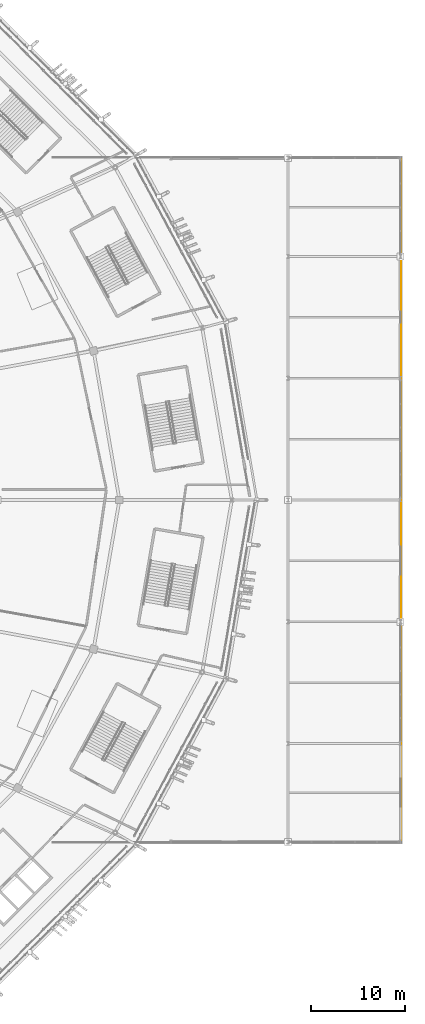
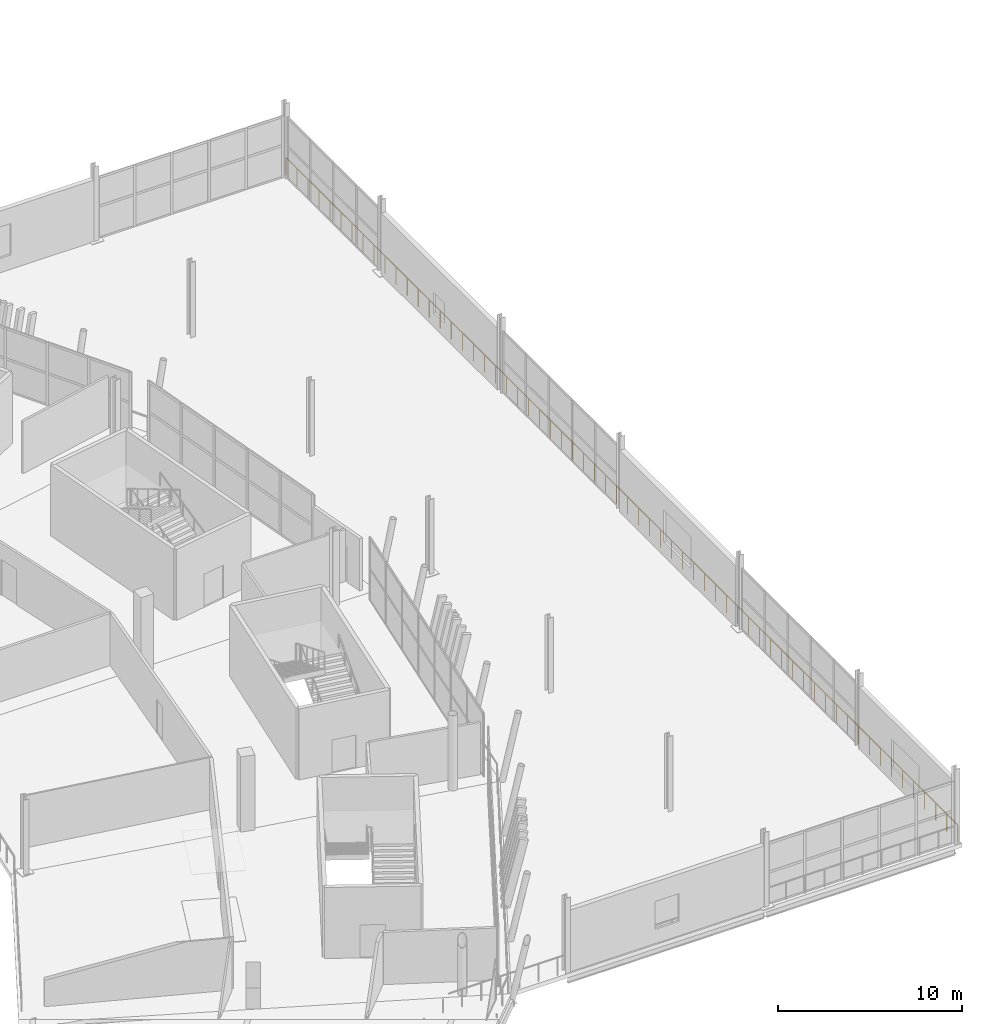
# One storey, part 169 of 179: 1 railing.
"""IFC4 building model written with IfcOpenShell, lengths in metres."""

import ifcopenshell
import ifcopenshell.guid

model = None  # the IFC model being written
_history = None  # IfcOwnerHistory: only IFC2X3 demands one
_inside = {}  # id of a spatial element -> (the spatial element, [elements in it])
_under = {}  # id of a project, library or spatial element -> (it, [spatial elements below it])
_declared = {}  # id of a project -> (the project, [libraries it declares])
_typed = {}  # id of a type object -> (the type object, [elements of that type])
_made_of = {}  # id of a material, layer set ... -> (it, [elements and type objects made of it])


def new_model(schema):
    """Start an empty IFC model of exactly this schema.

    Asked for "IFC4X3", IfcOpenShell would pick the latest addendum, in which some entities
    have other attributes; the version numbers below select the first issue.
    IFC2X3 requires an IfcOwnerHistory on every rooted entity: one is made here for all.
    """
    global model, _history
    if schema == "IFC4X3":
        model = ifcopenshell.file(schema_version=(4, 3, 0, 0))
    else:
        model = ifcopenshell.file(schema=schema)
    _inside.clear()
    _under.clear()
    _declared.clear()
    _typed.clear()
    _made_of.clear()
    _history = None
    if model.schema == "IFC2X3":
        org = make("IfcOrganization", Name="unknown")
        user = make(
            "IfcPersonAndOrganization",
            ThePerson=make("IfcPerson", FamilyName="unknown"),
            TheOrganization=org,
        )
        app = make(
            "IfcApplication",
            ApplicationDeveloper=org,
            Version="unknown",
            ApplicationFullName="unknown",
            ApplicationIdentifier="unknown",
        )
        _history = make(
            "IfcOwnerHistory",
            OwningUser=user,
            OwningApplication=app,
            ChangeAction="ADDED",
            CreationDate=0,
        )
    return model


def make(cls, **values):
    """One entity of the class cls with the attributes given. An attribute that is None is left unset."""
    return model.create_entity(
        cls, **{name: value for name, value in values.items() if value is not None}
    )


def rooted(cls, **values):
    """An entity with a GlobalId (a new one), such as an element, a storey or a relation."""
    return make(cls, GlobalId=ifcopenshell.guid.new(), OwnerHistory=_history, **values)


def si_unit(unit_type, name, prefix=None):
    """IfcSIUnit, for example si_unit("LENGTHUNIT", "METRE", prefix="MILLI")."""
    return make("IfcSIUnit", UnitType=unit_type, Prefix=prefix, Name=name)


def assignment(units):
    """IfcUnitAssignment: the units of a project."""
    return None if units is None else make("IfcUnitAssignment", Units=units)


def point(xyz):
    """IfcCartesianPoint."""
    return None if xyz is None else make("IfcCartesianPoint", Coordinates=xyz)


def direction(xyz):
    """IfcDirection."""
    return None if xyz is None else make("IfcDirection", DirectionRatios=xyz)


def frame(location, z_axis=None, x_axis=None):
    """IfcAxis2Placement3D, a coordinate frame: its origin and axes. An axis left out is left unset."""
    return make(
        "IfcAxis2Placement3D",
        Location=point(location),
        Axis=direction(z_axis),
        RefDirection=direction(x_axis),
    )


def frame_2d(location, x_axis=None):
    """IfcAxis2Placement2D, a coordinate frame in the plane: its origin and x axis."""
    return make(
        "IfcAxis2Placement2D", Location=point(location), RefDirection=direction(x_axis)
    )


def origin():
    """The frame at (0, 0, 0) with its axes left unset."""
    return frame((0.0, 0.0, 0.0))


def origin_2d():
    """The frame at (0, 0) in the plane with its x axis left unset."""
    return frame_2d((0.0, 0.0))


def place(relative_to, where):
    """IfcLocalPlacement: puts the frame where relative to a parent placement (None: the world)."""
    return make(
        "IfcLocalPlacement", PlacementRelTo=relative_to, RelativePlacement=where
    )


def context(
    kind, dimensions, precision=None, world=None, true_north=None, identifier=None
):
    """IfcGeometricRepresentationContext, for example the 3D "Model" context."""
    return make(
        "IfcGeometricRepresentationContext",
        ContextIdentifier=identifier,
        ContextType=kind,
        CoordinateSpaceDimension=dimensions,
        Precision=precision,
        WorldCoordinateSystem=world,
        TrueNorth=true_north,
    )


def subcontext(parent, identifier, kind, view, scale=None):
    """IfcGeometricRepresentationSubContext, for example "Body" below "Model"."""
    return make(
        "IfcGeometricRepresentationSubContext",
        ContextIdentifier=identifier,
        ContextType=kind,
        ParentContext=parent,
        TargetScale=scale,
        TargetView=view,
    )


def project(units=None, contexts=None):
    """IfcProject with its units and contexts."""
    return rooted(
        "IfcProject",
        Name="project",
        RepresentationContexts=contexts,
        UnitsInContext=assignment(units),
    )


def spatial(cls, under=None, at=None, **own):
    """A site, building, storey or space (cls), placed at a placement, below another one or the project."""
    s = rooted(cls, ObjectPlacement=at, **own)
    if under is not None:
        _under.setdefault(under.id(), (under, []))[1].append(s)
    return s


def profile(cls, at=None, kind="AREA", **sizes):
    """A parametric profile (cls). Its sizes go by their IFC names, for example OverallWidth=200.0."""
    return make(cls, ProfileType=kind, Position=at, **sizes)


def rectangle(**sizes):
    """IfcRectangleProfileDef."""
    return profile("IfcRectangleProfileDef", **sizes)


def extrude(swept, where, along, depth):
    """IfcExtrudedAreaSolid: the profile swept, set in the frame where, extruded along a direction by depth."""
    return make(
        "IfcExtrudedAreaSolid",
        SweptArea=swept,
        Position=where,
        ExtrudedDirection=direction(along),
        Depth=depth,
    )


def shape(context_of_items, identifier, shape_type, items):
    """IfcShapeRepresentation: the items that make up one representation, for example the "Body"."""
    return make(
        "IfcShapeRepresentation",
        ContextOfItems=context_of_items,
        RepresentationIdentifier=identifier,
        RepresentationType=shape_type,
        Items=items,
    )


def material(Name=None, Category=None):
    """IfcMaterial."""
    return make("IfcMaterial", Name=Name, Category=Category)


def made_of(thing, what):
    """Note that an element or type object is made of a material, layer set ...; save() writes the relation."""
    if what is not None:
        _made_of.setdefault(what.id(), (what, []))[1].append(thing)
    return thing


def type_object(cls, material=None, **own):
    """A type object (cls), such as IfcWallType, which elements share."""
    return made_of(rooted(cls, **own), material)


def element(
    cls,
    number,
    at=None,
    inside=None,
    cuts=None,
    type_object=None,
    material=None,
    context=None,
    identifier="Body",
    shape_type=None,
    held_by="IfcProductDefinitionShape",
    body=None,
    shapes=None,
    **own,
):
    """One element of the class cls, such as IfcWall. Its Tag is "e" and its number.

    at: its placement. inside: the storey or other place that contains it. cuts: it is an
    opening in that element (IfcRelVoidsElement). A single representation is given by context,
    identifier, shape_type and body (its items); several are given by shapes. held_by: the class
    of the entity that holds the representations. save() writes the other relations.
    """
    e = rooted(cls, Tag="e%d" % number, ObjectPlacement=at, **own)
    if body is not None:
        shapes = [shape(context, identifier, shape_type, body)]
    if shapes is not None:
        e.Representation = make(held_by, Representations=shapes)
    if inside is not None:
        _inside.setdefault(inside.id(), (inside, []))[1].append(e)
    if cuts is not None:
        rooted(
            "IfcRelVoidsElement", RelatingBuildingElement=cuts, RelatedOpeningElement=e
        )
    if type_object is not None:
        _typed.setdefault(type_object.id(), (type_object, []))[1].append(e)
    return made_of(e, material)


def aggregate(whole, parts):
    """IfcRelAggregates: a whole, such as a stair, and the parts it consists of."""
    return rooted("IfcRelAggregates", RelatingObject=whole, RelatedObjects=parts)


def save(model, path):
    """Write the relations noted so far, then the file.

    IfcRelAggregates (storeys below a building ...), IfcRelContainedInSpatialStructure (elements
    in a storey), IfcRelDefinesByType, IfcRelAssociatesMaterial and IfcRelDeclares: one each for
    every whole, place, type object, material and project.
    """
    for whole, parts in _under.values():
        aggregate(whole, parts)
    for where, things in _inside.values():
        rooted(
            "IfcRelContainedInSpatialStructure",
            RelatedElements=things,
            RelatingStructure=where,
        )
    for kind, things in _typed.values():
        rooted("IfcRelDefinesByType", RelatedObjects=things, RelatingType=kind)
    for what, things in _made_of.values():
        rooted("IfcRelAssociatesMaterial", RelatedObjects=things, RelatingMaterial=what)
    for by, libraries in _declared.values():
        rooted("IfcRelDeclares", RelatingContext=by, RelatedDefinitions=libraries)
    model.write(path)


model = new_model("IFC4")

# Units and contexts
model_context = context("Model", 3, precision=1e-05, world=origin(), true_north=direction((0.0, 1.0)))
body_context = subcontext(model_context, "Body", "Model", "MODEL_VIEW")
ifc_project = project(units=[si_unit("LENGTHUNIT", "METRE"), si_unit("AREAUNIT", "SQUARE_METRE"), si_unit("VOLUMEUNIT", "CUBIC_METRE"), si_unit("PLANEANGLEUNIT", "RADIAN"), si_unit("MASSUNIT", "GRAM", prefix="KILO")], contexts=[model_context])

# Site, building, storey
site_placement = place(None, origin())
site = spatial("IfcSite", under=ifc_project, at=site_placement, CompositionType="ELEMENT")
building_placement = place(site_placement, origin())
building = spatial("IfcBuilding", under=site, at=building_placement, Name="Zlatoyarsky Gate Stadium", CompositionType="ELEMENT")
storey_placement = place(building_placement, frame((0.0, 0.0, 10.60009765625)))
storey = spatial("IfcBuildingStorey", under=building, at=storey_placement, Name="L02", CompositionType="ELEMENT", Elevation=10.60009765625)

# Railing
ifc_material = material(Name="Powder-coated steel tubular guardrail", Category="steel")
railing_type = type_object("IfcRailingType", Name="CONCOURSE SLAB EDGE GUARDRAIL 1200", PredefinedType="GUARDRAIL", material=ifc_material)
railing_placement = place(storey_placement, frame((222.080078125, 43.419921875, 0.0)))
element("IfcRailing", 1, at=railing_placement, inside=storey, type_object=railing_type, Name="V5_EAST L02 E slab edge guardrail", PredefinedType="GUARDRAIL", context=body_context, shape_type="SweptSolid", body=[
    extrude(rectangle(XDim=0.048095703125, YDim=0.048095703125, at=origin_2d()), frame((0.0, 0.0, 1.17578125), z_axis=(0.0, 1.0, 0.0), x_axis=(-1.0, 0.0, 0.0)), (0.0, 0.0, 1.0), 73.16015625),
    extrude(rectangle(XDim=0.0419921875, YDim=0.0419921875, at=origin_2d()), origin(), (0.0, 0.0, 1.0), 1.15185546875),
    extrude(rectangle(XDim=0.0419921875, YDim=0.0419921875, at=origin_2d()), frame((0.0, 1.199462890625, 0.0)), (0.0, 0.0, 1.0), 1.15185546875),
    extrude(rectangle(XDim=0.0419921875, YDim=0.0419921875, at=origin_2d()), frame((0.0, 2.398681640625, 0.0)), (0.0, 0.0, 1.0), 1.15185546875),
    extrude(rectangle(XDim=0.0419921875, YDim=0.0419921875, at=origin_2d()), frame((0.0, 3.59814453125, 0.0)), (0.0, 0.0, 1.0), 1.15185546875),
    extrude(rectangle(XDim=0.0419921875, YDim=0.0419921875, at=origin_2d()), frame((0.0, 4.79736328125, 0.0)), (0.0, 0.0, 1.0), 1.15185546875),
    extrude(rectangle(XDim=0.0419921875, YDim=0.0419921875, at=origin_2d()), frame((0.0, 5.996826171875, 0.0)), (0.0, 0.0, 1.0), 1.15185546875),
    extrude(rectangle(XDim=0.0419921875, YDim=0.0419921875, at=origin_2d()), frame((0.0, 7.196044921875, 0.0)), (0.0, 0.0, 1.0), 1.15185546875),
    extrude(rectangle(XDim=0.0419921875, YDim=0.0419921875, at=origin_2d()), frame((0.0, 8.3955078125, 0.0)), (0.0, 0.0, 1.0), 1.15185546875),
    extrude(rectangle(XDim=0.0419921875, YDim=0.0419921875, at=origin_2d()), frame((0.0, 9.5947265625, 0.0)), (0.0, 0.0, 1.0), 1.15185546875),
    extrude(rectangle(XDim=0.0419921875, YDim=0.0419921875, at=origin_2d()), frame((0.0, 10.794189453125, 0.0)), (0.0, 0.0, 1.0), 1.15185546875),
    extrude(rectangle(XDim=0.0419921875, YDim=0.0419921875, at=origin_2d()), frame((0.0, 11.993408203125, 0.0)), (0.0, 0.0, 1.0), 1.15185546875),
    extrude(rectangle(XDim=0.0419921875, YDim=0.0419921875, at=origin_2d()), frame((0.0, 13.19287109375, 0.0)), (0.0, 0.0, 1.0), 1.15185546875),
    extrude(rectangle(XDim=0.0419921875, YDim=0.0419921875, at=origin_2d()), frame((0.0, 14.39208984375, 0.0)), (0.0, 0.0, 1.0), 1.15185546875),
    extrude(rectangle(XDim=0.0419921875, YDim=0.0419921875, at=origin_2d()), frame((0.0, 15.591552734375, 0.0)), (0.0, 0.0, 1.0), 1.15185546875),
    extrude(rectangle(XDim=0.0419921875, YDim=0.0419921875, at=origin_2d()), frame((0.0, 16.790771484375, 0.0)), (0.0, 0.0, 1.0), 1.15185546875),
    extrude(rectangle(XDim=0.0419921875, YDim=0.0419921875, at=origin_2d()), frame((0.0, 17.990234375, 0.0)), (0.0, 0.0, 1.0), 1.15185546875),
    extrude(rectangle(XDim=0.0419921875, YDim=0.0419921875, at=origin_2d()), frame((0.0, 19.189453125, 0.0)), (0.0, 0.0, 1.0), 1.15185546875),
    extrude(rectangle(XDim=0.0419921875, YDim=0.0419921875, at=origin_2d()), frame((0.0, 20.388916015625, 0.0)), (0.0, 0.0, 1.0), 1.15185546875),
    extrude(rectangle(XDim=0.0419921875, YDim=0.0419921875, at=origin_2d()), frame((0.0, 21.588134765625, 0.0)), (0.0, 0.0, 1.0), 1.15185546875),
    extrude(rectangle(XDim=0.0419921875, YDim=0.0419921875, at=origin_2d()), frame((0.0, 22.78759765625, 0.0)), (0.0, 0.0, 1.0), 1.15185546875),
    extrude(rectangle(XDim=0.0419921875, YDim=0.0419921875, at=origin_2d()), frame((0.0, 23.98681640625, 0.0)), (0.0, 0.0, 1.0), 1.15185546875),
    extrude(rectangle(XDim=0.0419921875, YDim=0.0419921875, at=origin_2d()), frame((0.0, 25.186279296875, 0.0)), (0.0, 0.0, 1.0), 1.15185546875),
    extrude(rectangle(XDim=0.0419921875, YDim=0.0419921875, at=origin_2d()), frame((0.0, 26.3857421875, 0.0)), (0.0, 0.0, 1.0), 1.15185546875),
    extrude(rectangle(XDim=0.0419921875, YDim=0.0419921875, at=origin_2d()), frame((0.0, 27.5849609375, 0.0)), (0.0, 0.0, 1.0), 1.15185546875),
    extrude(rectangle(XDim=0.0419921875, YDim=0.0419921875, at=origin_2d()), frame((0.0, 28.784423828125, 0.0)), (0.0, 0.0, 1.0), 1.15185546875),
    extrude(rectangle(XDim=0.0419921875, YDim=0.0419921875, at=origin_2d()), frame((0.0, 29.983642578125, 0.0)), (0.0, 0.0, 1.0), 1.15185546875),
    extrude(rectangle(XDim=0.0419921875, YDim=0.0419921875, at=origin_2d()), frame((0.0, 31.18310546875, 0.0)), (0.0, 0.0, 1.0), 1.15185546875),
    extrude(rectangle(XDim=0.0419921875, YDim=0.0419921875, at=origin_2d()), frame((0.0, 32.38232421875, 0.0)), (0.0, 0.0, 1.0), 1.15185546875),
    extrude(rectangle(XDim=0.0419921875, YDim=0.0419921875, at=origin_2d()), frame((0.0, 33.581787109375, 0.0)), (0.0, 0.0, 1.0), 1.15185546875),
    extrude(rectangle(XDim=0.0419921875, YDim=0.0419921875, at=origin_2d()), frame((0.0, 34.781005859375, 0.0)), (0.0, 0.0, 1.0), 1.15185546875),
    extrude(rectangle(XDim=0.0419921875, YDim=0.0419921875, at=origin_2d()), frame((0.0, 35.98046875, 0.0)), (0.0, 0.0, 1.0), 1.15185546875),
    extrude(rectangle(XDim=0.0419921875, YDim=0.0419921875, at=origin_2d()), frame((0.0, 37.1796875, 0.0)), (0.0, 0.0, 1.0), 1.15185546875),
    extrude(rectangle(XDim=0.0419921875, YDim=0.0419921875, at=origin_2d()), frame((0.0, 38.379150390625, 0.0)), (0.0, 0.0, 1.0), 1.15185546875),
    extrude(rectangle(XDim=0.0419921875, YDim=0.0419921875, at=origin_2d()), frame((0.0, 39.578369140625, 0.0)), (0.0, 0.0, 1.0), 1.15185546875),
    extrude(rectangle(XDim=0.0419921875, YDim=0.0419921875, at=origin_2d()), frame((0.0, 40.77783203125, 0.0)), (0.0, 0.0, 1.0), 1.15185546875),
    extrude(rectangle(XDim=0.0419921875, YDim=0.0419921875, at=origin_2d()), frame((0.0, 41.97705078125, 0.0)), (0.0, 0.0, 1.0), 1.15185546875),
    extrude(rectangle(XDim=0.0419921875, YDim=0.0419921875, at=origin_2d()), frame((0.0, 43.176513671875, 0.0)), (0.0, 0.0, 1.0), 1.15185546875),
    extrude(rectangle(XDim=0.0419921875, YDim=0.0419921875, at=origin_2d()), frame((0.0, 44.375732421875, 0.0)), (0.0, 0.0, 1.0), 1.15185546875),
    extrude(rectangle(XDim=0.0419921875, YDim=0.0419921875, at=origin_2d()), frame((0.0, 45.5751953125, 0.0)), (0.0, 0.0, 1.0), 1.15185546875),
    extrude(rectangle(XDim=0.0419921875, YDim=0.0419921875, at=origin_2d()), frame((0.0, 46.7744140625, 0.0)), (0.0, 0.0, 1.0), 1.15185546875),
    extrude(rectangle(XDim=0.0419921875, YDim=0.0419921875, at=origin_2d()), frame((0.0, 47.973876953125, 0.0)), (0.0, 0.0, 1.0), 1.15185546875),
    extrude(rectangle(XDim=0.0419921875, YDim=0.0419921875, at=origin_2d()), frame((0.0, 49.17333984375, 0.0)), (0.0, 0.0, 1.0), 1.15185546875),
    extrude(rectangle(XDim=0.0419921875, YDim=0.0419921875, at=origin_2d()), frame((0.0, 50.37255859375, 0.0)), (0.0, 0.0, 1.0), 1.15185546875),
    extrude(rectangle(XDim=0.0419921875, YDim=0.0419921875, at=origin_2d()), frame((0.0, 51.572021484375, 0.0)), (0.0, 0.0, 1.0), 1.15185546875),
    extrude(rectangle(XDim=0.0419921875, YDim=0.0419921875, at=origin_2d()), frame((0.0, 52.771240234375, 0.0)), (0.0, 0.0, 1.0), 1.15185546875),
    extrude(rectangle(XDim=0.0419921875, YDim=0.0419921875, at=origin_2d()), frame((0.0, 53.970703125, 0.0)), (0.0, 0.0, 1.0), 1.15185546875),
    extrude(rectangle(XDim=0.0419921875, YDim=0.0419921875, at=origin_2d()), frame((0.0, 55.169921875, 0.0)), (0.0, 0.0, 1.0), 1.15185546875),
    extrude(rectangle(XDim=0.0419921875, YDim=0.0419921875, at=origin_2d()), frame((0.0, 56.369384765625, 0.0)), (0.0, 0.0, 1.0), 1.15185546875),
    extrude(rectangle(XDim=0.0419921875, YDim=0.0419921875, at=origin_2d()), frame((0.0, 57.568603515625, 0.0)), (0.0, 0.0, 1.0), 1.15185546875),
    extrude(rectangle(XDim=0.0419921875, YDim=0.0419921875, at=origin_2d()), frame((0.0, 58.76806640625, 0.0)), (0.0, 0.0, 1.0), 1.15185546875),
    extrude(rectangle(XDim=0.0419921875, YDim=0.0419921875, at=origin_2d()), frame((0.0, 59.96728515625, 0.0)), (0.0, 0.0, 1.0), 1.15185546875),
    extrude(rectangle(XDim=0.0419921875, YDim=0.0419921875, at=origin_2d()), frame((0.0, 61.166748046875, 0.0)), (0.0, 0.0, 1.0), 1.15185546875),
    extrude(rectangle(XDim=0.0419921875, YDim=0.0419921875, at=origin_2d()), frame((0.0, 62.365966796875, 0.0)), (0.0, 0.0, 1.0), 1.15185546875),
    extrude(rectangle(XDim=0.0419921875, YDim=0.0419921875, at=origin_2d()), frame((0.0, 63.5654296875, 0.0)), (0.0, 0.0, 1.0), 1.15185546875),
    extrude(rectangle(XDim=0.0419921875, YDim=0.0419921875, at=origin_2d()), frame((0.0, 64.7646484375, 0.0)), (0.0, 0.0, 1.0), 1.15185546875),
    extrude(rectangle(XDim=0.0419921875, YDim=0.0419921875, at=origin_2d()), frame((0.0, 65.964111328125, 0.0)), (0.0, 0.0, 1.0), 1.15185546875),
    extrude(rectangle(XDim=0.0419921875, YDim=0.0419921875, at=origin_2d()), frame((0.0, 67.163330078125, 0.0)), (0.0, 0.0, 1.0), 1.15185546875),
    extrude(rectangle(XDim=0.0419921875, YDim=0.0419921875, at=origin_2d()), frame((0.0, 68.36279296875, 0.0)), (0.0, 0.0, 1.0), 1.15185546875),
    extrude(rectangle(XDim=0.0419921875, YDim=0.0419921875, at=origin_2d()), frame((0.0, 69.56201171875, 0.0)), (0.0, 0.0, 1.0), 1.15185546875),
    extrude(rectangle(XDim=0.0419921875, YDim=0.0419921875, at=origin_2d()), frame((0.0, 70.761474609375, 0.0)), (0.0, 0.0, 1.0), 1.15185546875),
    extrude(rectangle(XDim=0.0419921875, YDim=0.0419921875, at=origin_2d()), frame((0.0, 71.960693359375, 0.0)), (0.0, 0.0, 1.0), 1.15185546875),
    extrude(rectangle(XDim=0.0419921875, YDim=0.0419921875, at=origin_2d()), frame((0.0, 73.16015625, 0.0)), (0.0, 0.0, 1.0), 1.15185546875),
])

save(model, "model.ifc")
